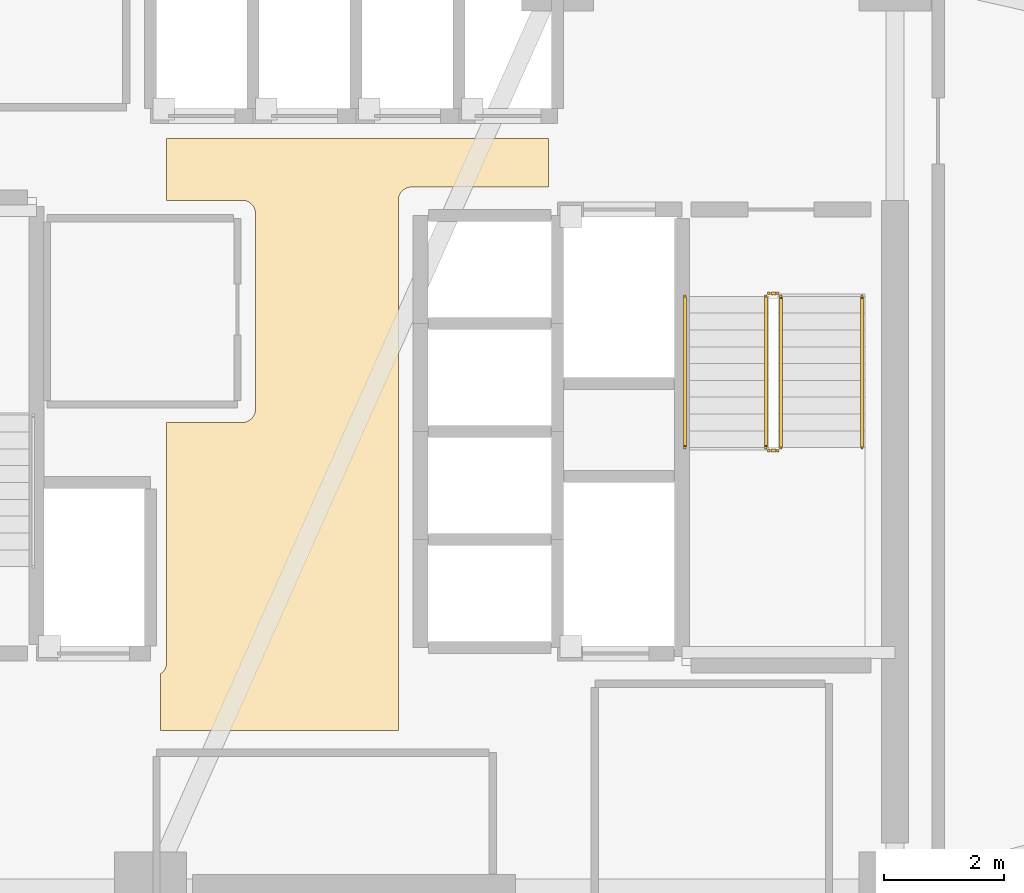
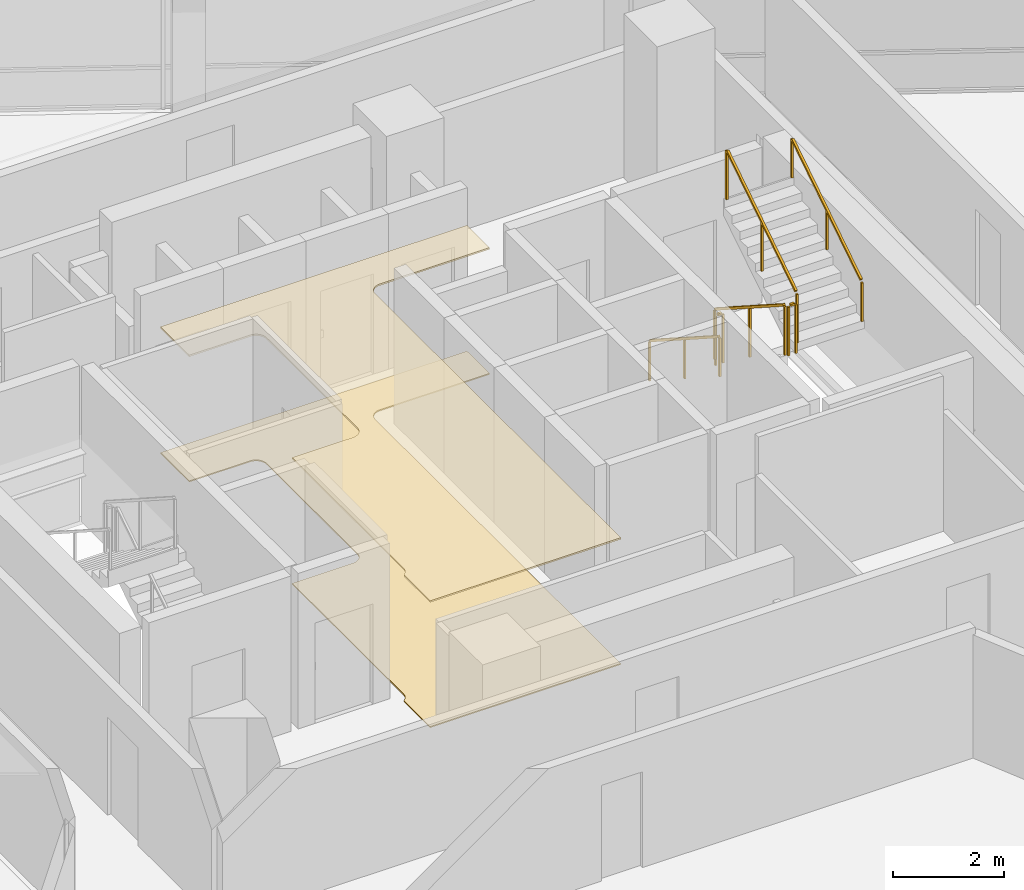
# One storey, part 17 of 18: 6 railings, 2 coverings.
"""IFC4 building model written with IfcOpenShell, lengths in metres."""

from ifc_helpers import new_model, si_unit, direction, frame, origin, origin_2d, place, context, subcontext, project, spatial, polyline, rectangle, outline, extrude, material, layer, layer_set, type_object, element, save


model = new_model("IFC4")

# Units and contexts
model_context = context("Model", 3, precision=1e-05, world=origin(), true_north=direction((0.0, 1.0)))
body_context = subcontext(model_context, "Body", "Model", "MODEL_VIEW")
ifc_project = project(units=[si_unit("LENGTHUNIT", "METRE"), si_unit("AREAUNIT", "SQUARE_METRE"), si_unit("VOLUMEUNIT", "CUBIC_METRE"), si_unit("PLANEANGLEUNIT", "RADIAN"), si_unit("MASSUNIT", "GRAM", prefix="KILO")], contexts=[model_context])

# Site, building, storey
site_placement = place(None, origin())
site = spatial("IfcSite", under=ifc_project, at=site_placement, CompositionType="ELEMENT")
building_placement = place(site_placement, origin())
building = spatial("IfcBuilding", under=site, at=building_placement, Name="Tharavind Bronze Gate", CompositionType="ELEMENT")
storey_placement = place(building_placement, frame((0.0, 0.0, 153.199951171875)))
storey = spatial("IfcBuildingStorey", under=building, at=storey_placement, Name="L39", CompositionType="ELEMENT", Elevation=153.199951171875)

# Coverings
ifc_material_1 = material(Name="Perforated Bronze Acoustic Panel", Category="bronze")
ifc_layer_1 = layer(ifc_material_1, 0.044921875)
ifc_layer_set_1 = layer_set([ifc_layer_1], Name="Perforated Bronze Acoustic Panel")
covering_type_1 = type_object("IfcCoveringType", Name="ACOUSTIC BRONZE BAFFLE CEILING", PredefinedType="CEILING", material=ifc_layer_set_1)
covering_1_placement = place(storey_placement, frame((0.0, 0.0, 2.75)))
element("IfcCovering", 1, at=covering_1_placement, inside=storey, type_object=covering_type_1, Name="L39-C-LL suspended ceiling", PredefinedType="CEILING", context=body_context, shape_type="SweptSolid", body=[
    extrude(outline(polyline([(-3.330078125, -4.97998046875), (0.6298828125, -4.97998046875), (0.6298828125, 3.85009765625), (0.631103515625, 3.87158203125), (0.63427734375, 3.892822265625), (0.639404296875, 3.913818359375), (0.646728515625, 3.93408203125), (0.656005859375, 3.95361328125), (0.6669921875, 3.97216796875), (0.679931640625, 3.989501953125), (0.6943359375, 4.005615234375), (0.71044921875, 4.02001953125), (0.727783203125, 4.032958984375), (0.746337890625, 4.0439453125), (0.765869140625, 4.05322265625), (0.7861328125, 4.060546875), (0.80712890625, 4.06591796875), (0.828369140625, 4.06884765625), (0.85009765625, 4.070068359375), (3.1298828125, 4.070068359375), (3.1298828125, 4.8798828125), (-3.22998046875, 4.8798828125), (-3.22998046875, 3.85009765625), (-1.969970703125, 3.85009765625), (-1.948486328125, 3.848876953125), (-1.927001953125, 3.845703125), (-1.906005859375, 3.840576171875), (-1.8857421875, 3.833251953125), (-1.8662109375, 3.823974609375), (-1.847900390625, 3.81298828125), (-1.830322265625, 3.800048828125), (-1.814453125, 3.78564453125), (-1.7998046875, 3.76953125), (-1.787109375, 3.752197265625), (-1.77587890625, 3.733642578125), (-1.7666015625, 3.714111328125), (-1.759521484375, 3.69384765625), (-1.754150390625, 3.6728515625), (-1.751220703125, 3.651611328125), (-1.75, 3.6298828125), (-1.75, 0.3701171875), (-1.751220703125, 0.348388671875), (-1.754150390625, 0.3271484375), (-1.759521484375, 0.30615234375), (-1.7666015625, 0.285888671875), (-1.77587890625, 0.266357421875), (-1.787109375, 0.247802734375), (-1.7998046875, 0.23046875), (-1.814453125, 0.21435546875), (-1.830322265625, 0.199951171875), (-1.847900390625, 0.18701171875), (-1.8662109375, 0.176025390625), (-1.8857421875, 0.166748046875), (-1.906005859375, 0.159423828125), (-1.927001953125, 0.154296875), (-1.948486328125, 0.151123046875), (-1.969970703125, 0.14990234375), (-3.22998046875, 0.14990234375), (-3.22998046875, -3.85009765625), (-3.231201171875, -3.87158203125), (-3.234130859375, -3.892822265625), (-3.239501953125, -3.913818359375), (-3.24658203125, -3.93408203125), (-3.256103515625, -3.95361328125), (-3.26708984375, -3.97216796875), (-3.27978515625, -3.989501953125), (-3.29443359375, -4.005615234375), (-3.310302734375, -4.02001953125), (-3.327880859375, -4.032958984375), (-3.330078125, -4.0341796875), (-3.330078125, -4.97998046875)])), origin(), (0.0, 0.0, 1.0), 0.03515625),
])
ifc_material_2 = material(Name="Honed Travertine Limestone", Category="masonry")
ifc_layer_2 = layer(ifc_material_2, 0.030029296875)
ifc_layer_set_2 = layer_set([ifc_layer_2], Name="Honed Travertine Limestone")
covering_type_2 = type_object("IfcCoveringType", Name="HONED LIMESTONE FLOORING", PredefinedType="FLOORING", material=ifc_layer_set_2)
covering_2_placement = place(storey_placement, origin())
element("IfcCovering", 2, at=covering_2_placement, inside=storey, type_object=covering_type_2, Name="L39-C-LL floor finish", PredefinedType="FLOORING", context=body_context, shape_type="SweptSolid", body=[
    extrude(outline(polyline([(-3.330078125, -4.97998046875), (0.6298828125, -4.97998046875), (0.6298828125, 3.85009765625), (0.631103515625, 3.87158203125), (0.63427734375, 3.892822265625), (0.639404296875, 3.913818359375), (0.646728515625, 3.93408203125), (0.656005859375, 3.95361328125), (0.6669921875, 3.97216796875), (0.679931640625, 3.989501953125), (0.6943359375, 4.005615234375), (0.71044921875, 4.02001953125), (0.727783203125, 4.032958984375), (0.746337890625, 4.0439453125), (0.765869140625, 4.05322265625), (0.7861328125, 4.060546875), (0.80712890625, 4.06591796875), (0.828369140625, 4.06884765625), (0.85009765625, 4.070068359375), (3.1298828125, 4.070068359375), (3.1298828125, 4.8798828125), (-3.22998046875, 4.8798828125), (-3.22998046875, 3.85009765625), (-1.969970703125, 3.85009765625), (-1.948486328125, 3.848876953125), (-1.927001953125, 3.845703125), (-1.906005859375, 3.840576171875), (-1.8857421875, 3.833251953125), (-1.8662109375, 3.823974609375), (-1.847900390625, 3.81298828125), (-1.830322265625, 3.800048828125), (-1.814453125, 3.78564453125), (-1.7998046875, 3.76953125), (-1.787109375, 3.752197265625), (-1.77587890625, 3.733642578125), (-1.7666015625, 3.714111328125), (-1.759521484375, 3.69384765625), (-1.754150390625, 3.6728515625), (-1.751220703125, 3.651611328125), (-1.75, 3.6298828125), (-1.75, 0.3701171875), (-1.751220703125, 0.348388671875), (-1.754150390625, 0.3271484375), (-1.759521484375, 0.30615234375), (-1.7666015625, 0.285888671875), (-1.77587890625, 0.266357421875), (-1.787109375, 0.247802734375), (-1.7998046875, 0.23046875), (-1.814453125, 0.21435546875), (-1.830322265625, 0.199951171875), (-1.847900390625, 0.18701171875), (-1.8662109375, 0.176025390625), (-1.8857421875, 0.166748046875), (-1.906005859375, 0.159423828125), (-1.927001953125, 0.154296875), (-1.948486328125, 0.151123046875), (-1.969970703125, 0.14990234375), (-3.22998046875, 0.14990234375), (-3.22998046875, -3.85009765625), (-3.231201171875, -3.87158203125), (-3.234130859375, -3.892822265625), (-3.239501953125, -3.913818359375), (-3.24658203125, -3.93408203125), (-3.256103515625, -3.95361328125), (-3.26708984375, -3.97216796875), (-3.27978515625, -3.989501953125), (-3.29443359375, -4.005615234375), (-3.310302734375, -4.02001953125), (-3.327880859375, -4.032958984375), (-3.330078125, -4.0341796875), (-3.330078125, -4.97998046875)])), origin(), (0.0, 0.0, 1.0), 0.025146484375),
])

# Railings
ifc_material_3 = material(Name="Brushed Bronze Alloy", Category="metal")
railing_type_1 = type_object("IfcRailingType", Name="STAIR BRONZE HANDRAIL 900", PredefinedType="HANDRAIL", material=ifc_material_3)
railing_1_placement = place(storey_placement, frame((5.39990234375, 2.25, 0.179931640625)))
element("IfcRailing", 3, at=railing_1_placement, inside=storey, type_object=railing_type_1, Name="L39 ST2 stair handrail 1", PredefinedType="HANDRAIL", context=body_context, shape_type="SweptSolid", body=[
    extrude(rectangle(XDim=0.048095703125, YDim=0.048095703125, at=origin_2d()), frame((0.0, -0.02685546875, 0.89306640625), z_axis=(0.0, -0.841162588446, 0.540782303519), x_axis=(1.0, 0.0, 0.0)), (0.0, 0.0, 1.0), 2.931884765625),
    extrude(rectangle(XDim=0.0400390625, YDim=0.0400390625, at=origin_2d()), origin(), (0.0, 0.0, 1.0), 0.847900390625),
    extrude(rectangle(XDim=0.0400390625, YDim=0.0400390625, at=origin_2d()), frame((0.0, -1.260009765625, 0.81005859375)), (0.0, 0.0, 1.0), 0.847900390625),
    extrude(rectangle(XDim=0.0400390625, YDim=0.0400390625, at=origin_2d()), frame((0.0, -2.52001953125, 1.6201171875)), (0.0, 0.0, 1.0), 0.847900390625),
])
railing_2_placement = place(storey_placement, frame((8.35009765625, -0.27001953125, 1.97998046875)))
element("IfcRailing", 4, at=railing_2_placement, inside=storey, type_object=railing_type_1, Name="L39 ST2 stair handrail 2", PredefinedType="HANDRAIL", context=body_context, shape_type="SweptSolid", body=[
    extrude(rectangle(XDim=0.048095703125, YDim=0.048095703125, at=origin_2d()), frame((0.0, 0.02685546875, 0.89306640625), z_axis=(0.0, 0.841162588446, 0.540782303519), x_axis=(-1.0, 0.0, 0.0)), (0.0, 0.0, 1.0), 2.931884765625),
    extrude(rectangle(XDim=0.0400390625, YDim=0.0400390625, at=origin_2d()), origin(), (0.0, 0.0, 1.0), 0.847900390625),
    extrude(rectangle(XDim=0.0400390625, YDim=0.0400390625, at=origin_2d()), frame((0.0, 1.260009765625, 0.81005859375)), (0.0, 0.0, 1.0), 0.847900390625),
    extrude(rectangle(XDim=0.0400390625, YDim=0.0400390625, at=origin_2d()), frame((0.0, 2.52001953125, 1.6201171875)), (0.0, 0.0, 1.0), 0.847900390625),
])
railing_type_2 = type_object("IfcRailingType", Name="STAIR WELL GUARD RAILING 1120", PredefinedType="GUARDRAIL", material=ifc_material_3)
railing_3_placement = place(storey_placement, frame((6.75, 2.25, 0.179931640625)))
element("IfcRailing", 5, at=railing_3_placement, inside=storey, type_object=railing_type_2, Name="L39 ST2 stair guard 1", PredefinedType="GUARDRAIL", context=body_context, shape_type="SweptSolid", body=[
    extrude(rectangle(XDim=0.048095703125, YDim=0.048095703125, at=origin_2d()), frame((0.0, -0.02685546875, 1.11328125), z_axis=(0.0, -0.841162588446, 0.540782303519), x_axis=(1.0, 0.0, 0.0)), (0.0, 0.0, 1.0), 2.931884765625),
    extrude(rectangle(XDim=0.0400390625, YDim=0.0400390625, at=origin_2d()), origin(), (0.0, 0.0, 1.0), 1.068115234375),
    extrude(rectangle(XDim=0.0400390625, YDim=0.0400390625, at=origin_2d()), frame((0.0, -1.260009765625, 0.81005859375)), (0.0, 0.0, 1.0), 1.068115234375),
    extrude(rectangle(XDim=0.0400390625, YDim=0.0400390625, at=origin_2d()), frame((0.0, -2.52001953125, 1.6201171875)), (0.0, 0.0, 1.0), 1.068115234375),
])
railing_4_placement = place(storey_placement, frame((6.800048828125, -0.320068359375, 1.800048828125)))
element("IfcRailing", 6, at=railing_4_placement, inside=storey, type_object=railing_type_2, Name="L39 ST2 stair guard 2", PredefinedType="GUARDRAIL", context=body_context, shape_type="SweptSolid", body=[
    extrude(rectangle(XDim=0.048095703125, YDim=0.048095703125, at=origin_2d()), frame((0.031982421875, 0.0, 1.09619140625), z_axis=(1.0, 0.0, 0.0), x_axis=(0.0, 1.0, 0.0)), (0.0, 0.0, 1.0), 0.0859375),
    extrude(rectangle(XDim=0.0400390625, YDim=0.0400390625, at=origin_2d()), origin(), (0.0, 0.0, 1.0), 1.068115234375),
    extrude(rectangle(XDim=0.0400390625, YDim=0.0400390625, at=origin_2d()), frame((0.14990234375, 0.0, 0.0)), (0.0, 0.0, 1.0), 1.068115234375),
])
railing_5_placement = place(storey_placement, frame((7.0, -0.27001953125, 1.97998046875)))
element("IfcRailing", 7, at=railing_5_placement, inside=storey, type_object=railing_type_2, Name="L39 ST2 stair guard 3", PredefinedType="GUARDRAIL", context=body_context, shape_type="SweptSolid", body=[
    extrude(rectangle(XDim=0.048095703125, YDim=0.048095703125, at=origin_2d()), frame((0.0, 0.02685546875, 1.11328125), z_axis=(0.0, 0.841162588446, 0.540782303519), x_axis=(-1.0, 0.0, 0.0)), (0.0, 0.0, 1.0), 2.931884765625),
    extrude(rectangle(XDim=0.0400390625, YDim=0.0400390625, at=origin_2d()), origin(), (0.0, 0.0, 1.0), 1.068115234375),
    extrude(rectangle(XDim=0.0400390625, YDim=0.0400390625, at=origin_2d()), frame((0.0, 1.260009765625, 0.81005859375)), (0.0, 0.0, 1.0), 1.068115234375),
    extrude(rectangle(XDim=0.0400390625, YDim=0.0400390625, at=origin_2d()), frame((0.0, 2.52001953125, 1.6201171875)), (0.0, 0.0, 1.0), 1.068115234375),
])
railing_6_placement = place(storey_placement, frame((6.800048828125, 2.300048828125, 0.0)))
element("IfcRailing", 8, at=railing_6_placement, inside=storey, type_object=railing_type_2, Name="L39 ST2 stair guard 4", PredefinedType="GUARDRAIL", context=body_context, shape_type="SweptSolid", body=[
    extrude(rectangle(XDim=0.048095703125, YDim=0.048095703125, at=origin_2d()), frame((0.031982421875, 0.0, 1.09619140625), z_axis=(1.0, 0.0, 0.0), x_axis=(0.0, 1.0, 0.0)), (0.0, 0.0, 1.0), 0.0859375),
    extrude(rectangle(XDim=0.0400390625, YDim=0.0400390625, at=origin_2d()), origin(), (0.0, 0.0, 1.0), 1.068115234375),
    extrude(rectangle(XDim=0.0400390625, YDim=0.0400390625, at=origin_2d()), frame((0.14990234375, 0.0, 0.0)), (0.0, 0.0, 1.0), 1.068115234375),
])

save(model, "model.ifc")
